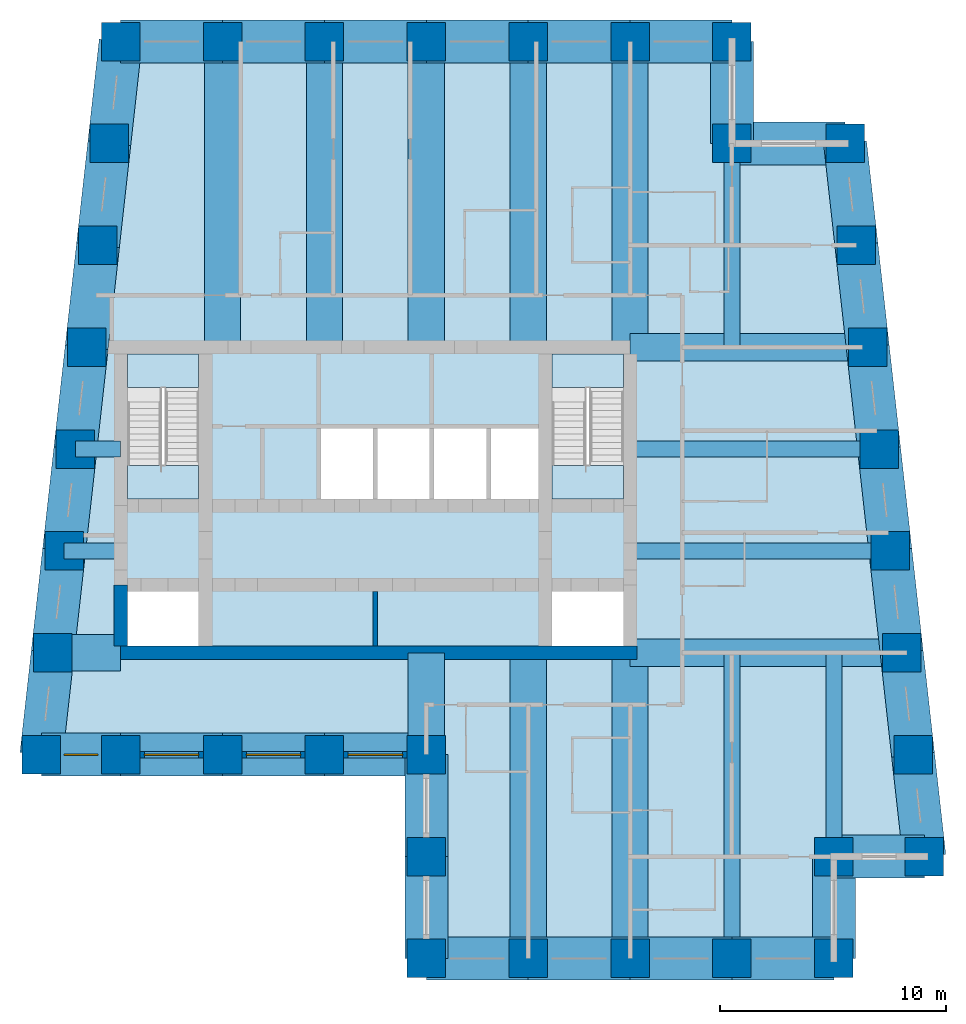
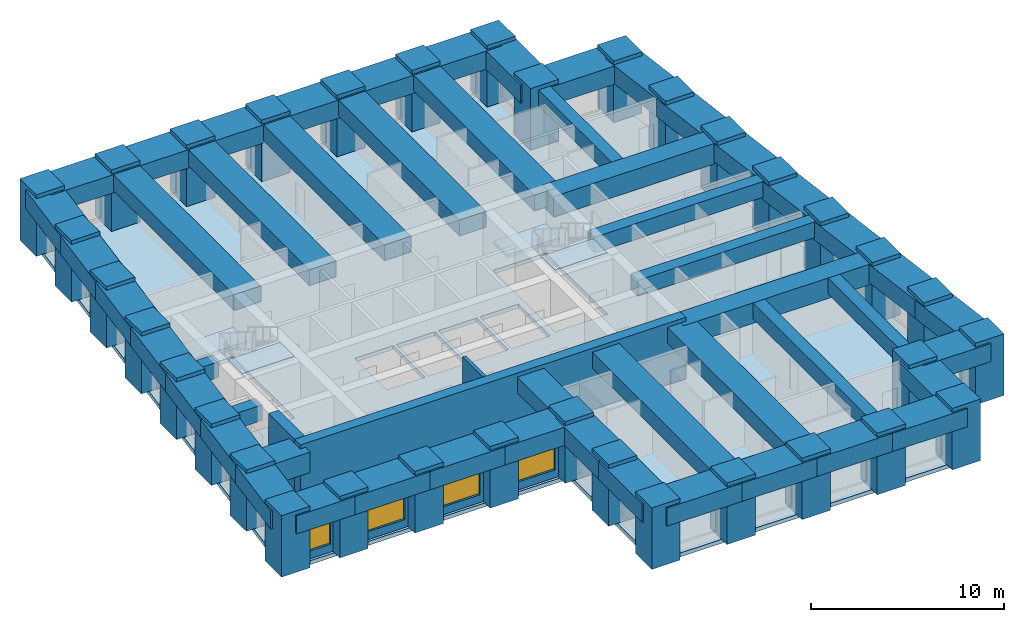
# One storey, part 1 of 7: 52 beams, 34 columns, 5 slabs, 4 walls, 4 windows, 4 openings, 2 elements without a shape of their own.
"""IFC4 building model written with IfcOpenShell, lengths in metres."""

from ifc_helpers import new_model, si_unit, direction, frame, frame_2d, origin, origin_2d, place, context, subcontext, project, spatial, polyline, rectangle, outline, extrude, material, layer, layer_set, material_profile, profile_set, type_object, element, fill, aggregate, save


model = new_model("IFC4")

# Units and contexts
model_context = context("Model", 3, precision=1e-05, world=origin(), true_north=direction((0.0, 1.0)))
body_context = subcontext(model_context, "Body", "Model", "MODEL_VIEW")
ifc_project = project(units=[si_unit("LENGTHUNIT", "METRE"), si_unit("AREAUNIT", "SQUARE_METRE"), si_unit("VOLUMEUNIT", "CUBIC_METRE"), si_unit("PLANEANGLEUNIT", "RADIAN"), si_unit("MASSUNIT", "GRAM", prefix="KILO")], contexts=[model_context])

# Site, building, storey
site_placement = place(None, origin())
site = spatial("IfcSite", under=ifc_project, at=site_placement, CompositionType="ELEMENT")
building_placement = place(site_placement, origin())
building = spatial("IfcBuilding", under=site, at=building_placement, Name="Kilele Tower Hotel", CompositionType="ELEMENT")
storey_placement = place(building_placement, frame((0.0, 0.0, 229.10009765625)))
storey = spatial("IfcBuildingStorey", under=building, at=storey_placement, Name="L59", CompositionType="ELEMENT", Elevation=229.10009765625)

# Columns
ifc_material_1 = material(Name="Concrete C60/75", Category="concrete")
ifc_material_profile_1 = material_profile(ifc_material_1, rectangle(XDim=1.699951171875, YDim=1.699951171875, at=origin_2d()))
ifc_profile_set_1 = profile_set([ifc_material_profile_1], Name="Concrete C60/75")
column_type = type_object("IfcColumnType", Name="Tube column RC 1700x1700 C60/75", PredefinedType="COLUMN", material=ifc_profile_set_1)
for number, where, z_axis, x_axis, name in (
    (1, (10.0, 9.0, 0.0), (0.0, 0.0, 1.0), (1.0, 0.0, 0.0), "Column TC4 L59"),
    (2, (13.5, 9.0, 0.0), (0.0, 0.0, 1.0), (1.0, 0.0, 0.0), "Column TC4 L59"),
    (3, (18.0, 9.0, 0.0), (0.0, 0.0, 1.0), (1.0, 0.0, 0.0), "Column TC4 L59"),
    (4, (22.5, 9.0, 0.0), (0.0, 0.0, 1.0), (1.0, 0.0, 0.0), "Column TC4 L59"),
    (5, (27.0, 9.0, 0.0), (0.0, 0.0, 1.0), (1.0, 0.0, 0.0), "Column TC4 L59"),
    (6, (27.0, 4.5, 0.0), (0.0, 0.0, 1.0), (1.0, 0.0, 0.0), "Column TC4 L59"),
    (7, (27.0, 0.0, 0.0), (0.0, 0.0, 1.0), (1.0, 0.0, 0.0), "Column TC4 L59"),
    (8, (31.5, 0.0, 0.0), (0.0, 0.0, 1.0), (1.0, 0.0, 0.0), "Column TC4 L59"),
    (9, (36.0, 0.0, 0.0), (0.0, 0.0, 1.0), (1.0, 0.0, 0.0), "Column TC4 L59"),
    (10, (40.5, 0.0, 0.0), (0.0, 0.0, 1.0), (1.0, 0.0, 0.0), "Column TC4 L59"),
    (11, (45.0, 0.0, 0.0), (0.0, 0.0, 1.0), (1.0, 0.0, 0.0), "Column TC4 L59"),
    (12, (45.0, 4.5, 0.0), (0.0, 0.0, 1.0), (1.0, 0.0, 0.0), "Column TC4 L59"),
    (13, (49.0, 4.5, 0.0), (0.0, 0.0, 1.0), (1.0, 0.0, 0.0), "Column TC4 L59"),
    (14, (48.5, 9.0, 0.0), (0.0, 0.0, 1.0), (1.0, 0.0, 0.0), "Column TC4 L59"),
    (15, (48.0, 13.5, 0.0), (0.0, 0.0, 1.0), (1.0, 0.0, 0.0), "Column TC4 L59"),
    (16, (47.5, 18.0, 0.0), (0.0, 0.0, 1.0), (1.0, 0.0, 0.0), "Column TC4 L59"),
    (17, (47.0, 22.5, 0.0), (0.0, 0.0, 1.0), (1.0, 0.0, 0.0), "Column TC4 L59"),
    (18, (46.5, 27.0, 0.0), (0.0, 0.0, 1.0), (1.0, 0.0, 0.0), "Column TC4 L59"),
    (19, (46.0, 31.5, 0.0), (0.0, 0.0, 1.0), (1.0, 0.0, 0.0), "Column TC4 L59"),
    (20, (45.5, 36.0, 0.0), (0.0, 0.0, 1.0), (1.0, 0.0, 0.0), "Column TC4 L59"),
    (21, (40.5, 36.0, 0.0), (0.0, 0.0, 1.0), (1.0, 0.0, 0.0), "Column TC4 L59"),
    (22, (40.5, 40.5, 0.0), (0.0, 0.0, 1.0), (1.0, 0.0, 0.0), "Column TC4 L59"),
    (23, (36.0, 40.5, 0.0), (0.0, 0.0, 1.0), (1.0, 0.0, 0.0), "Column TC4 L59"),
    (24, (31.5, 40.5, 0.0), (0.0, 0.0, 1.0), (1.0, 0.0, 0.0), "Column TC4 L59"),
    (25, (27.0, 40.5, 0.0), (0.0, 0.0, 1.0), (1.0, 0.0, 0.0), "Column TC4 L59"),
    (26, (22.5, 40.5, 0.0), (0.0, 0.0, 1.0), (1.0, 0.0, 0.0), "Column TC4 L59"),
    (27, (18.0, 40.5, 0.0), (0.0, 0.0, 1.0), (1.0, 0.0, 0.0), "Column TC4 L59"),
    (28, (13.5, 40.5, 0.0), (0.0, 0.0, 1.0), (1.0, 0.0, 0.0), "Column TC4 L59"),
    (29, (13.0, 36.0, 0.0), (0.0, 0.0, 1.0), (1.0, 0.0, 0.0), "Column TC4 L59"),
    (30, (12.5, 31.5, 0.0), (0.0, 0.0, 1.0), (1.0, 0.0, 0.0), "Column TC4 L59"),
    (31, (12.0, 27.0, 0.0), (0.0, 0.0, 1.0), (1.0, 0.0, 0.0), "Column TC4 L59"),
    (32, (11.5, 22.5, 0.0), (0.0, 0.0, 1.0), (1.0, 0.0, 0.0), "Column TC4 L59"),
    (33, (11.0, 18.0, 0.0), (0.0, 0.0, 1.0), (1.0, 0.0, 0.0), "Column TC4 L59"),
    (34, (10.5, 13.5, 0.0), (0.0, 0.0, 1.0), (1.0, 0.0, 0.0), "Column TC4 L59"),
):
    element("IfcColumn", number, at=place(storey_placement, frame(where, z_axis=z_axis, x_axis=x_axis)), inside=storey, type_object=column_type, Name=name, PredefinedType="COLUMN", context=body_context, shape_type="SweptSolid", body=[
        extrude(rectangle(XDim=1.699951171875, YDim=1.699951171875, at=origin_2d()), origin(), (0.0, 0.0, 1.0), 3.89990234375),
    ])

# Beams
ifc_material_2 = material(Name="Concrete C60/75", Category="concrete")
ifc_material_profile_2 = material_profile(ifc_material_2, rectangle(XDim=1.60009765625, YDim=1.0, at=origin_2d()))
ifc_profile_set_2 = profile_set([ifc_material_profile_2], Name="Concrete C60/75")
beam_type_1 = type_object("IfcBeamType", Name="Beam RC 1600x1000 C60/75", PredefinedType="BEAM", material=ifc_profile_set_2)
for number, where, z_axis, x_axis, name in (
    (35, (31.5, 0.0, 3.14990234375), (0.0, 1.0, 0.0), (-1.0, 0.0, 0.0), "Beam BC1 level L60"),
    (36, (36.0, 0.0, 3.14990234375), (0.0, 1.0, 0.0), (-1.0, 0.0, 0.0), "Beam BC1 level L60"),
    (37, (36.0, 40.5, 3.14990234375), (0.0, -1.0, 0.0), (1.0, 0.0, 0.0), "Beam BC1 level L60"),
    (38, (31.5, 40.5, 3.14990234375), (0.0, -1.0, 0.0), (1.0, 0.0, 0.0), "Beam BC1 level L60"),
    (39, (27.0, 40.5, 3.14990234375), (0.0, -1.0, 0.0), (1.0, 0.0, 0.0), "Beam BC1 level L60"),
    (40, (22.5, 40.5, 3.14990234375), (0.0, -1.0, 0.0), (1.0, 0.0, 0.0), "Beam BC1 level L60"),
    (41, (18.0, 40.5, 3.14990234375), (0.0, -1.0, 0.0), (1.0, 0.0, 0.0), "Beam BC1 level L60"),
):
    element("IfcBeam", number, at=place(storey_placement, frame(where, z_axis=z_axis, x_axis=x_axis)), inside=storey, type_object=beam_type_1, Name=name, PredefinedType="BEAM", context=body_context, shape_type="SweptSolid", body=[
        extrude(rectangle(XDim=1.60009765625, YDim=1.0, at=origin_2d()), origin(), (0.0, 0.0, 1.0), 13.5),
    ])
ifc_material_3 = material(Name="Concrete C60/75", Category="concrete")
ifc_material_profile_3 = material_profile(ifc_material_3, rectangle(XDim=1.60009765625, YDim=1.0, at=origin_2d()))
ifc_profile_set_3 = profile_set([ifc_material_profile_3], Name="Concrete C60/75")
beam_type_2 = type_object("IfcBeamType", Name="Beam RC 1600x1000 C60/75 short span", PredefinedType="BEAM", material=ifc_profile_set_3)
beam_1_placement = place(storey_placement, frame((27.0, 9.0, 3.14990234375), z_axis=(0.0, 1.0, 0.0), x_axis=(-1.0, 0.0, 0.0)))
element("IfcBeam", 42, at=beam_1_placement, inside=storey, type_object=beam_type_2, Name="Beam BC2 level L60", PredefinedType="BEAM", context=body_context, shape_type="SweptSolid", body=[
    extrude(rectangle(XDim=1.60009765625, YDim=1.0, at=origin_2d()), origin(), (0.0, 0.0, 1.0), 4.5),
])
ifc_material_4 = material(Name="Concrete C60/75", Category="concrete")
ifc_material_profile_4 = material_profile(ifc_material_4, rectangle(XDim=0.699951171875, YDim=1.0, at=origin_2d()))
ifc_profile_set_4 = profile_set([ifc_material_profile_4], Name="Concrete C60/75")
beam_type_3 = type_object("IfcBeamType", Name="Beam RC 700x1000 C60/75", PredefinedType="BEAM", material=ifc_profile_set_4)
beam_2_placement = place(storey_placement, frame((40.5, 0.0, 3.14990234375), z_axis=(0.0, 1.0, 0.0), x_axis=(-1.0, 0.0, 0.0)))
element("IfcBeam", 43, at=beam_2_placement, inside=storey, type_object=beam_type_3, Name="Beam B4 level L60", PredefinedType="BEAM", context=body_context, shape_type="SweptSolid", body=[
    extrude(rectangle(XDim=0.699951171875, YDim=1.0, at=origin_2d()), origin(), (0.0, 0.0, 1.0), 13.5),
])
ifc_material_5 = material(Name="Concrete C60/75", Category="concrete")
ifc_material_profile_5 = material_profile(ifc_material_5, rectangle(XDim=0.699951171875, YDim=1.0, at=origin_2d()))
ifc_profile_set_5 = profile_set([ifc_material_profile_5], Name="Concrete C60/75")
beam_type_4 = type_object("IfcBeamType", Name="Beam RC 700x1000 C60/75 mid span", PredefinedType="BEAM", material=ifc_profile_set_5)
beam_3_placement = place(storey_placement, frame((45.0, 4.5, 3.14990234375), z_axis=(0.0, 1.0, 0.0), x_axis=(-1.0, 0.0, 0.0)))
element("IfcBeam", 44, at=beam_3_placement, inside=storey, type_object=beam_type_4, Name="Beam B5 level L60", PredefinedType="BEAM", context=body_context, shape_type="SweptSolid", body=[
    extrude(rectangle(XDim=0.699951171875, YDim=1.0, at=origin_2d()), origin(), (0.0, 0.0, 1.0), 9.0),
])
beam_4_placement = place(storey_placement, frame((47.5, 18.0, 3.14990234375), z_axis=(-1.0, 0.0, 0.0), x_axis=(0.0, -1.0, 0.0)))
element("IfcBeam", 45, at=beam_4_placement, inside=storey, type_object=beam_type_4, Name="Beam B5 level L60", PredefinedType="BEAM", context=body_context, shape_type="SweptSolid", body=[
    extrude(rectangle(XDim=0.699951171875, YDim=1.0, at=origin_2d()), origin(), (0.0, 0.0, 1.0), 11.5),
])
beam_5_placement = place(storey_placement, frame((47.0, 22.5, 3.14990234375), z_axis=(-1.0, 0.0, 0.0), x_axis=(0.0, -1.0, 0.0)))
element("IfcBeam", 46, at=beam_5_placement, inside=storey, type_object=beam_type_4, Name="Beam B5 level L60", PredefinedType="BEAM", context=body_context, shape_type="SweptSolid", body=[
    extrude(rectangle(XDim=0.699951171875, YDim=1.0, at=origin_2d()), origin(), (0.0, 0.0, 1.0), 11.0),
])
beam_6_placement = place(storey_placement, frame((40.5, 36.0, 3.14990234375), z_axis=(0.0, -1.0, 0.0), x_axis=(1.0, 0.0, 0.0)))
element("IfcBeam", 47, at=beam_6_placement, inside=storey, type_object=beam_type_4, Name="Beam B5 level L60", PredefinedType="BEAM", context=body_context, shape_type="SweptSolid", body=[
    extrude(rectangle(XDim=0.699951171875, YDim=1.0, at=origin_2d()), origin(), (0.0, 0.0, 1.0), 9.0),
])
ifc_material_6 = material(Name="Concrete C60/75", Category="concrete")
ifc_material_profile_6 = material_profile(ifc_material_6, rectangle(XDim=0.699951171875, YDim=1.0, at=origin_2d()))
ifc_profile_set_6 = profile_set([ifc_material_profile_6], Name="Concrete C60/75")
beam_type_5 = type_object("IfcBeamType", Name="Beam RC 700x1000 C60/75 short span", PredefinedType="BEAM", material=ifc_profile_set_6)
beam_7_placement = place(storey_placement, frame((11.5, 22.5, 3.14990234375), z_axis=(1.0, 0.0, 0.0), x_axis=(0.0, 1.0, 0.0)))
element("IfcBeam", 48, at=beam_7_placement, inside=storey, type_object=beam_type_5, Name="Beam B6 level L60", PredefinedType="BEAM", context=body_context, shape_type="SweptSolid", body=[
    extrude(rectangle(XDim=0.699951171875, YDim=1.0, at=origin_2d()), origin(), (0.0, 0.0, 1.0), 2.0),
])
beam_8_placement = place(storey_placement, frame((11.0, 18.0, 3.14990234375), z_axis=(1.0, 0.0, 0.0), x_axis=(0.0, 1.0, 0.0)))
element("IfcBeam", 49, at=beam_8_placement, inside=storey, type_object=beam_type_5, Name="Beam B6 level L60", PredefinedType="BEAM", context=body_context, shape_type="SweptSolid", body=[
    extrude(rectangle(XDim=0.699951171875, YDim=1.0, at=origin_2d()), origin(), (0.0, 0.0, 1.0), 2.5),
])
ifc_material_7 = material(Name="Concrete C60/75", Category="concrete")
ifc_material_profile_7 = material_profile(ifc_material_7, rectangle(XDim=1.60009765625, YDim=1.300048828125, at=origin_2d()))
ifc_profile_set_7 = profile_set([ifc_material_profile_7], Name="Concrete C60/75")
beam_type_6 = type_object("IfcBeamType", Name="Coupling girder RC 1600x1300 C60/75", PredefinedType="BEAM", material=ifc_profile_set_7)
beam_9_placement = place(storey_placement, frame((10.5, 13.5, 3.0), z_axis=(1.0, 0.0, 0.0), x_axis=(0.0, 1.0, 0.0)))
element("IfcBeam", 50, at=beam_9_placement, inside=storey, type_object=beam_type_6, Name="Coupling girder G2 level L60", PredefinedType="BEAM", context=body_context, shape_type="SweptSolid", body=[
    extrude(rectangle(XDim=1.60009765625, YDim=1.300048828125, at=origin_2d()), origin(), (0.0, 0.0, 1.0), 3.0),
])
ifc_material_8 = material(Name="Concrete C60/75", Category="concrete")
ifc_material_profile_8 = material_profile(ifc_material_8, rectangle(XDim=1.199951171875, YDim=1.300048828125, at=origin_2d()))
ifc_profile_set_8 = profile_set([ifc_material_profile_8], Name="Concrete C60/75")
beam_type_7 = type_object("IfcBeamType", Name="Girder RC 1200x1300 C60/75", PredefinedType="BEAM", material=ifc_profile_set_8)
beam_10_placement = place(storey_placement, frame((48.0, 13.5, 3.0), z_axis=(-1.0, 0.0, 0.0), x_axis=(0.0, -1.0, 0.0)))
element("IfcBeam", 51, at=beam_10_placement, inside=storey, type_object=beam_type_7, Name="Girder G1 level L60", PredefinedType="BEAM", context=body_context, shape_type="SweptSolid", body=[
    extrude(rectangle(XDim=1.199951171875, YDim=1.300048828125, at=origin_2d()), origin(), (0.0, 0.0, 1.0), 12.0),
])
ifc_material_9 = material(Name="Concrete C60/75", Category="concrete")
ifc_material_profile_9 = material_profile(ifc_material_9, rectangle(XDim=1.199951171875, YDim=1.300048828125, at=origin_2d()))
ifc_profile_set_9 = profile_set([ifc_material_profile_9], Name="Concrete C60/75")
beam_type_8 = type_object("IfcBeamType", Name="Girder RC 1200x1300 C60/75 mid span", PredefinedType="BEAM", material=ifc_profile_set_9)
beam_11_placement = place(storey_placement, frame((46.5, 27.0, 3.0), z_axis=(-1.0, 0.0, 0.0), x_axis=(0.0, -1.0, 0.0)))
element("IfcBeam", 52, at=beam_11_placement, inside=storey, type_object=beam_type_8, Name="Girder G3 level L60", PredefinedType="BEAM", context=body_context, shape_type="SweptSolid", body=[
    extrude(rectangle(XDim=1.199951171875, YDim=1.300048828125, at=origin_2d()), origin(), (0.0, 0.0, 1.0), 10.5),
])
ifc_material_10 = material(Name="Concrete C60/75", Category="concrete")
ifc_material_profile_10 = material_profile(ifc_material_10, rectangle(XDim=1.89990234375, YDim=1.14990234375, at=origin_2d()))
ifc_profile_set_10 = profile_set([ifc_material_profile_10], Name="Concrete C60/75")
beam_type_9 = type_object("IfcBeamType", Name="Spandrel RC 1900x1150 C60/75", PredefinedType="SPANDREL", material=ifc_profile_set_10)
beam_12_placement = place(storey_placement, frame((10.0, 9.0, 3.074951171875), z_axis=(1.0, 0.0, 0.0), x_axis=(0.0, 1.0, 0.0)))
element("IfcBeam", 53, at=beam_12_placement, inside=storey, type_object=beam_type_9, Name="Spandrel SP8 level L60", PredefinedType="SPANDREL", context=body_context, shape_type="SweptSolid", body=[
    extrude(rectangle(XDim=1.89990234375, YDim=1.14990234375, at=origin_2d()), origin(), (0.0, 0.0, 1.0), 3.5),
])
for number, where, z_axis, x_axis, name in (
    (54, (13.5, 9.0, 3.074951171875), (1.0, 0.0, 0.0), (0.0, 1.0, 0.0), "Spandrel SP8 level L60"),
    (55, (18.0, 9.0, 3.074951171875), (1.0, 0.0, 0.0), (0.0, 1.0, 0.0), "Spandrel SP8 level L60"),
    (56, (22.5, 9.0, 3.074951171875), (1.0, 0.0, 0.0), (0.0, 1.0, 0.0), "Spandrel SP8 level L60"),
    (57, (27.0, 9.0, 3.074951171875), (0.0, -1.0, 0.0), (1.0, 0.0, 0.0), "Spandrel SP8 level L60"),
    (58, (27.0, 4.5, 3.074951171875), (0.0, -1.0, 0.0), (1.0, 0.0, 0.0), "Spandrel SP8 level L60"),
    (59, (27.0, 0.0, 3.074951171875), (1.0, 0.0, 0.0), (0.0, 1.0, 0.0), "Spandrel SP8 level L60"),
    (60, (31.5, 0.0, 3.074951171875), (1.0, 0.0, 0.0), (0.0, 1.0, 0.0), "Spandrel SP8 level L60"),
    (61, (36.0, 0.0, 3.074951171875), (1.0, 0.0, 0.0), (0.0, 1.0, 0.0), "Spandrel SP8 level L60"),
    (62, (40.5, 0.0, 3.074951171875), (1.0, 0.0, 0.0), (0.0, 1.0, 0.0), "Spandrel SP8 level L60"),
    (63, (45.0, 0.0, 3.074951171875), (0.0, 1.0, 0.0), (-1.0, 0.0, 0.0), "Spandrel SP8 level L60"),
):
    element("IfcBeam", number, at=place(storey_placement, frame(where, z_axis=z_axis, x_axis=x_axis)), inside=storey, type_object=beam_type_9, Name=name, PredefinedType="SPANDREL", context=body_context, shape_type="SweptSolid", body=[
        extrude(rectangle(XDim=1.89990234375, YDim=1.14990234375, at=origin_2d()), origin(), (0.0, 0.0, 1.0), 4.5),
    ])
beam_13_placement = place(storey_placement, frame((45.0, 4.5, 3.074951171875), z_axis=(1.0, 0.0, 0.0), x_axis=(0.0, 1.0, 0.0)))
element("IfcBeam", 64, at=beam_13_placement, inside=storey, type_object=beam_type_9, Name="Spandrel SP8 level L60", PredefinedType="SPANDREL", context=body_context, shape_type="SweptSolid", body=[
    extrude(rectangle(XDim=1.89990234375, YDim=1.14990234375, at=origin_2d()), origin(), (0.0, 0.0, 1.0), 4.0),
])
for number, where, z_axis, x_axis, name in (
    (65, (49.0, 4.5, 3.074951171875), (-0.110431526075, 0.993883734674, 0.0), (-0.993883734674, -0.110431526075, 0.0), "Spandrel SP8 level L60"),
    (66, (48.5, 9.0, 3.074951171875), (-0.110431526075, 0.993883734674, 0.0), (-0.993883734674, -0.110431526075, 0.0), "Spandrel SP8 level L60"),
    (67, (48.0, 13.5, 3.074951171875), (-0.110431526075, 0.993883734674, 0.0), (-0.993883734674, -0.110431526075, 0.0), "Spandrel SP8 level L60"),
    (68, (47.5, 18.0, 3.074951171875), (-0.110431526075, 0.993883734674, 0.0), (-0.993883734674, -0.110431526075, 0.0), "Spandrel SP8 level L60"),
    (69, (47.0, 22.5, 3.074951171875), (-0.110431526075, 0.993883734674, 0.0), (-0.993883734674, -0.110431526075, 0.0), "Spandrel SP8 level L60"),
    (70, (46.5, 27.0, 3.074951171875), (-0.110431526075, 0.993883734674, 0.0), (-0.993883734674, -0.110431526075, 0.0), "Spandrel SP8 level L60"),
    (71, (46.0, 31.5, 3.074951171875), (-0.110431526075, 0.993883734674, 0.0), (-0.993883734674, -0.110431526075, 0.0), "Spandrel SP8 level L60"),
):
    element("IfcBeam", number, at=place(storey_placement, frame(where, z_axis=z_axis, x_axis=x_axis)), inside=storey, type_object=beam_type_9, Name=name, PredefinedType="SPANDREL", context=body_context, shape_type="SweptSolid", body=[
        extrude(rectangle(XDim=1.89990234375, YDim=1.14990234375, at=origin_2d()), origin(), (0.0, 0.0, 1.0), 4.527587890625),
    ])
beam_14_placement = place(storey_placement, frame((45.5, 36.0, 3.074951171875), z_axis=(-1.0, 0.0, 0.0), x_axis=(0.0, -1.0, 0.0)))
element("IfcBeam", 72, at=beam_14_placement, inside=storey, type_object=beam_type_9, Name="Spandrel SP8 level L60", PredefinedType="SPANDREL", context=body_context, shape_type="SweptSolid", body=[
    extrude(rectangle(XDim=1.89990234375, YDim=1.14990234375, at=origin_2d()), origin(), (0.0, 0.0, 1.0), 5.0),
])
for number, where, z_axis, x_axis, name in (
    (73, (40.5, 36.0, 3.074951171875), (0.0, 1.0, 0.0), (-1.0, 0.0, 0.0), "Spandrel SP8 level L60"),
    (74, (40.5, 40.5, 3.074951171875), (-1.0, 0.0, 0.0), (0.0, -1.0, 0.0), "Spandrel SP8 level L60"),
    (75, (36.0, 40.5, 3.074951171875), (-1.0, 0.0, 0.0), (0.0, -1.0, 0.0), "Spandrel SP8 level L60"),
    (76, (31.5, 40.5, 3.074951171875), (-1.0, 0.0, 0.0), (0.0, -1.0, 0.0), "Spandrel SP8 level L60"),
    (77, (27.0, 40.5, 3.074951171875), (-1.0, 0.0, 0.0), (0.0, -1.0, 0.0), "Spandrel SP8 level L60"),
    (78, (22.5, 40.5, 3.074951171875), (-1.0, 0.0, 0.0), (0.0, -1.0, 0.0), "Spandrel SP8 level L60"),
    (79, (18.0, 40.5, 3.074951171875), (-1.0, 0.0, 0.0), (0.0, -1.0, 0.0), "Spandrel SP8 level L60"),
):
    element("IfcBeam", number, at=place(storey_placement, frame(where, z_axis=z_axis, x_axis=x_axis)), inside=storey, type_object=beam_type_9, Name=name, PredefinedType="SPANDREL", context=body_context, shape_type="SweptSolid", body=[
        extrude(rectangle(XDim=1.89990234375, YDim=1.14990234375, at=origin_2d()), origin(), (0.0, 0.0, 1.0), 4.5),
    ])
for number, where, z_axis, x_axis, name in (
    (80, (13.5, 40.5, 3.074951171875), (-0.110431526075, -0.993883734674, 0.0), (0.993883734674, -0.110431526075, 0.0), "Spandrel SP8 level L60"),
    (81, (13.0, 36.0, 3.074951171875), (-0.110431526075, -0.993883734674, 0.0), (0.993883734674, -0.110431526075, 0.0), "Spandrel SP8 level L60"),
    (82, (12.5, 31.5, 3.074951171875), (-0.110431526075, -0.993883734674, 0.0), (0.993883734674, -0.110431526075, 0.0), "Spandrel SP8 level L60"),
    (83, (12.0, 27.0, 3.074951171875), (-0.110431526075, -0.993883734674, 0.0), (0.993883734674, -0.110431526075, 0.0), "Spandrel SP8 level L60"),
    (84, (11.5, 22.5, 3.074951171875), (-0.110431526075, -0.993883734674, 0.0), (0.993883734674, -0.110431526075, 0.0), "Spandrel SP8 level L60"),
    (85, (11.0, 18.0, 3.074951171875), (-0.110431526075, -0.993883734674, 0.0), (0.993883734674, -0.110431526075, 0.0), "Spandrel SP8 level L60"),
    (86, (10.5, 13.5, 3.074951171875), (-0.110431526075, -0.993883734674, 0.0), (0.993883734674, -0.110431526075, 0.0), "Spandrel SP8 level L60"),
):
    element("IfcBeam", number, at=place(storey_placement, frame(where, z_axis=z_axis, x_axis=x_axis)), inside=storey, type_object=beam_type_9, Name=name, PredefinedType="SPANDREL", context=body_context, shape_type="SweptSolid", body=[
        extrude(rectangle(XDim=1.89990234375, YDim=1.14990234375, at=origin_2d()), origin(), (0.0, 0.0, 1.0), 4.527587890625),
    ])

# Slab
ifc_material_11 = material(Name="Concrete C60/75", Category="concrete")
ifc_layer_1 = layer(ifc_material_11, 0.25)
ifc_layer_set_1 = layer_set([ifc_layer_1], Name="Concrete C60/75")
slab_type_1 = type_object("IfcSlabType", Name="Floor slab 250", PredefinedType="FLOOR", material=ifc_layer_set_1)
slab_1_placement = place(storey_placement, frame((0.0, 0.0, -0.25)))
element("IfcSlab", 87, at=slab_1_placement, inside=storey, type_object=slab_type_1, Name="Floor slab L59", PredefinedType="FLOOR", context=body_context, shape_type="SweptSolid", body=[
    extrude(outline(polyline([(40.800048828125, 40.800048828125), (40.800048828125, 36.300048828125), (45.7685546875, 36.300048828125), (49.335205078125, 4.199951171875), (45.300048828125, 4.199951171875), (45.300048828125, -0.300048828125), (26.699951171875, -0.300048828125), (26.699951171875, 8.699951171875), (9.664794921875, 8.699951171875), (13.2314453125, 40.800048828125), (40.800048828125, 40.800048828125)]), holes=[polyline([(16.949951171875, 16.199951171875), (13.800048828125, 16.199951171875), (13.800048828125, 13.800048828125), (16.949951171875, 13.800048828125), (16.949951171875, 16.199951171875)]), polyline([(35.699951171875, 16.199951171875), (32.550048828125, 16.199951171875), (32.550048828125, 13.800048828125), (35.699951171875, 13.800048828125), (35.699951171875, 16.199951171875)]), polyline([(24.64990234375, 23.39990234375), (22.35009765625, 23.39990234375), (22.35009765625, 20.10009765625), (24.64990234375, 20.10009765625), (24.64990234375, 23.39990234375)]), polyline([(27.14990234375, 23.39990234375), (24.85009765625, 23.39990234375), (24.85009765625, 20.10009765625), (27.14990234375, 20.10009765625), (27.14990234375, 23.39990234375)]), polyline([(29.64990234375, 23.39990234375), (27.35009765625, 23.39990234375), (27.35009765625, 20.10009765625), (29.64990234375, 20.10009765625), (29.64990234375, 23.39990234375)]), polyline([(32.14990234375, 23.39990234375), (29.85009765625, 23.39990234375), (29.85009765625, 20.10009765625), (32.14990234375, 20.10009765625), (32.14990234375, 23.39990234375)]), polyline([(16.949951171875, 26.699951171875), (13.800048828125, 26.699951171875), (13.800048828125, 20.300048828125), (16.949951171875, 20.300048828125), (16.949951171875, 26.699951171875)]), polyline([(35.699951171875, 26.699951171875), (32.550048828125, 26.699951171875), (32.550048828125, 20.300048828125), (35.699951171875, 20.300048828125), (35.699951171875, 26.699951171875)])]), origin(), (0.0, 0.0, 1.0), 0.25),
])

# Stair, slabs
ifc_material_12 = material(Name="Precast concrete C40/50", Category="concrete")
stair_type = type_object("IfcStairType", Name="Stair 1475 x 3900", PredefinedType="HALF_TURN_STAIR", material=ifc_material_12)
stair_1_placement = place(storey_placement, origin())
stair_1 = element("IfcStair", 88, at=stair_1_placement, inside=storey, type_object=stair_type, Name="Stair 1 L59", PredefinedType="HALF_TURN_STAIR")
ifc_material_13 = material(Name="Precast concrete C40/50", Category="concrete")
ifc_layer_2 = layer(ifc_material_13, 0.199951171875)
ifc_layer_set_2 = layer_set([ifc_layer_2], Name="Precast concrete C40/50")
slab_type_2 = type_object("IfcSlabType", Name="Stair landing 200", PredefinedType="LANDING", material=ifc_layer_set_2)
slab_2_placement = place(storey_placement, frame((0.0, 0.0, 1.6650390625)))
slab_2 = element("IfcSlab", 89, at=slab_2_placement, type_object=slab_type_2, Name="ST1 landing 1", PredefinedType="LANDING", context=body_context, shape_type="SweptSolid", body=[
    extrude(outline(polyline([(13.800048828125, 25.22509765625), (16.949951171875, 25.22509765625), (16.949951171875, 26.699951171875), (13.800048828125, 26.699951171875), (13.800048828125, 25.22509765625)])), origin(), (0.0, 0.0, 1.0), 0.199951171875),
])
slab_3_placement = place(storey_placement, frame((0.0, 0.0, 3.699951171875)))
slab_3 = element("IfcSlab", 90, at=slab_3_placement, type_object=slab_type_2, Name="ST1 landing 2", PredefinedType="LANDING", context=body_context, shape_type="SweptSolid", body=[
    extrude(outline(polyline([(13.800048828125, 20.300048828125), (16.949951171875, 20.300048828125), (16.949951171875, 21.77490234375), (13.800048828125, 21.77490234375), (13.800048828125, 20.300048828125)])), origin(), (0.0, 0.0, 1.0), 0.199951171875),
])
aggregate(stair_1, [slab_2, slab_3])

stair_2_placement = place(storey_placement, origin())
stair_2 = element("IfcStair", 91, at=stair_2_placement, inside=storey, type_object=stair_type, Name="Stair 2 L59", PredefinedType="HALF_TURN_STAIR")
slab_4_placement = place(storey_placement, frame((0.0, 0.0, 1.6650390625)))
slab_4 = element("IfcSlab", 92, at=slab_4_placement, type_object=slab_type_2, Name="ST2 landing 1", PredefinedType="LANDING", context=body_context, shape_type="SweptSolid", body=[
    extrude(outline(polyline([(32.550048828125, 25.22509765625), (35.699951171875, 25.22509765625), (35.699951171875, 26.699951171875), (32.550048828125, 26.699951171875), (32.550048828125, 25.22509765625)])), origin(), (0.0, 0.0, 1.0), 0.199951171875),
])
slab_5_placement = place(storey_placement, frame((0.0, 0.0, 3.699951171875)))
slab_5 = element("IfcSlab", 93, at=slab_5_placement, type_object=slab_type_2, Name="ST2 landing 2", PredefinedType="LANDING", context=body_context, shape_type="SweptSolid", body=[
    extrude(outline(polyline([(32.550048828125, 20.300048828125), (35.699951171875, 20.300048828125), (35.699951171875, 21.77490234375), (32.550048828125, 21.77490234375), (32.550048828125, 20.300048828125)])), origin(), (0.0, 0.0, 1.0), 0.199951171875),
])
aggregate(stair_2, [slab_4, slab_5])

# Walls
ifc_material_14 = material(Name="Concrete C60/75", Category="concrete")
ifc_layer_3 = layer(ifc_material_14, 0.60009765625)
ifc_layer_set_3 = layer_set([ifc_layer_3], Name="Concrete C60/75")
wall_type_1 = type_object("IfcWallType", Name="Core wall 600 C60/75", PredefinedType="SHEAR", material=ifc_layer_set_3)
wall_1_placement = place(storey_placement, frame((13.199951171875, 13.5, 0.0), z_axis=(0.0, 0.0, 1.0), x_axis=(1.0, 0.0, 0.0)))
element("IfcWall", 94, at=wall_1_placement, inside=storey, type_object=wall_type_1, Name="Core wall S L59", PredefinedType="SHEAR", context=body_context, shape_type="SweptSolid", body=[
    extrude(rectangle(XDim=23.10009765625, YDim=0.60009765625, at=frame_2d((11.550048828125, 0.0))), origin(), (0.0, 0.0, 1.0), 3.89990234375),
])
wall_2_placement = place(storey_placement, frame((13.5, 16.5, 0.0), z_axis=(0.0, 0.0, 1.0), x_axis=(0.0, -1.0, 0.0)))
element("IfcWall", 95, at=wall_2_placement, inside=storey, type_object=wall_type_1, Name="Core wall W3 L59", PredefinedType="SHEAR", context=body_context, shape_type="SweptSolid", body=[
    extrude(rectangle(XDim=2.699951171875, YDim=0.60009765625, at=frame_2d((1.35009765625, 0.0))), origin(), (0.0, 0.0, 1.0), 3.89990234375),
])

# Wall, openings, windows
ifc_material_15 = material(Name="Concrete C40/50 precast", Category="concrete")
ifc_layer_4 = layer(ifc_material_15, 0.260009765625, Name="Precast backing", Category="LoadBearing")
ifc_material_16 = material(Name="Reconstituted stone finish", Category="masonry")
ifc_layer_5 = layer(ifc_material_16, 0.0400390625, Name="Face mix", Category="Finish")
ifc_layer_set_4 = layer_set([ifc_layer_4, ifc_layer_5], Name="Precast concrete C40/50, reconstituted stone finish")
wall_type_2 = type_object("IfcWallType", Name="Precast stone facade wall 300", PredefinedType="STANDARD", material=ifc_layer_set_4)
wall_3_placement = place(storey_placement, frame((9.85009765625, 9.0, 0.0), z_axis=(0.0, 0.0, 1.0), x_axis=(1.0, 0.0, 0.0)))
wall_3 = element("IfcWall", 96, at=wall_3_placement, inside=storey, type_object=wall_type_2, Name="Facade wall L59 edge 1", PredefinedType="STANDARD", context=body_context, shape_type="SweptSolid", body=[
    extrude(rectangle(XDim=17.2998046875, YDim=0.300048828125, at=frame_2d((8.64990234375, 0.0))), origin(), (0.0, 0.0, 1.0), 2.5),
])
opening_1_placement = place(wall_3_placement, frame((1.14990234375, 0.0, 0.5)))
opening_1 = element("IfcOpeningElement", 97, at=opening_1_placement, cuts=wall_3, Name="Opening W4", PredefinedType="OPENING", context=body_context, shape_type="SweptSolid", body=[
    extrude(rectangle(XDim=1.5, YDim=1.85009765625, at=frame_2d((0.75, 0.925048828125))), frame((0.0, 0.159912109375, 0.0), z_axis=(0.0, -1.0, 0.0), x_axis=(1.0, 0.0, 0.0)), (0.0, 0.0, 1.0), 0.320068359375),
])
opening_2_placement = place(wall_3_placement, frame((4.699951171875, 0.0, 0.5)))
opening_2 = element("IfcOpeningElement", 98, at=opening_2_placement, cuts=wall_3, Name="Opening W4", PredefinedType="OPENING", context=body_context, shape_type="SweptSolid", body=[
    extrude(rectangle(XDim=2.39990234375, YDim=1.85009765625, at=frame_2d((1.199951171875, 0.925048828125))), frame((0.0, 0.159912109375, 0.0), z_axis=(0.0, -1.0, 0.0), x_axis=(1.0, 0.0, 0.0)), (0.0, 0.0, 1.0), 0.320068359375),
])
opening_3_placement = place(wall_3_placement, frame((9.199951171875, 0.0, 0.5)))
opening_3 = element("IfcOpeningElement", 99, at=opening_3_placement, cuts=wall_3, Name="Opening W4", PredefinedType="OPENING", context=body_context, shape_type="SweptSolid", body=[
    extrude(rectangle(XDim=2.39990234375, YDim=1.85009765625, at=frame_2d((1.199951171875, 0.925048828125))), frame((0.0, 0.159912109375, 0.0), z_axis=(0.0, -1.0, 0.0), x_axis=(1.0, 0.0, 0.0)), (0.0, 0.0, 1.0), 0.320068359375),
])
opening_4_placement = place(wall_3_placement, frame((13.699951171875, 0.0, 0.5)))
opening_4 = element("IfcOpeningElement", 100, at=opening_4_placement, cuts=wall_3, Name="Opening W4", PredefinedType="OPENING", context=body_context, shape_type="SweptSolid", body=[
    extrude(rectangle(XDim=2.39990234375, YDim=1.85009765625, at=frame_2d((1.199951171875, 0.925048828125))), frame((0.0, 0.159912109375, 0.0), z_axis=(0.0, -1.0, 0.0), x_axis=(1.0, 0.0, 0.0)), (0.0, 0.0, 1.0), 0.320068359375),
])
ifc_material_17 = material(Name="Aluminium frame, clear double glazing", Category="aluminium")
window_type_1 = type_object("IfcWindowType", Name="Window W4 1500 x 1850", PartitioningType="SINGLE_PANEL", PredefinedType="WINDOW", material=ifc_material_17)
window_1_placement = place(opening_1_placement, origin())
window_1 = element("IfcWindow", 101, at=window_1_placement, inside=storey, type_object=window_type_1, Name="Window L59", OverallHeight=1.85009765625, OverallWidth=1.5, PartitioningType="SINGLE_PANEL", PredefinedType="WINDOW", context=body_context, shape_type="SweptSolid", body=[
    extrude(rectangle(XDim=1.5, YDim=1.85009765625, at=frame_2d((0.75, 0.925048828125))), frame((0.0, 0.030029296875, 0.0), z_axis=(0.0, -1.0, 0.0), x_axis=(1.0, 0.0, 0.0)), (0.0, 0.0, 1.0), 0.06005859375),
])
fill(opening_1, window_1)
ifc_material_18 = material(Name="Aluminium frame, clear double glazing", Category="aluminium")
window_type_2 = type_object("IfcWindowType", Name="Window W4 2400 x 1850", PartitioningType="SINGLE_PANEL", PredefinedType="WINDOW", material=ifc_material_18)
window_2_placement = place(opening_2_placement, origin())
window_2 = element("IfcWindow", 102, at=window_2_placement, inside=storey, type_object=window_type_2, Name="Window L59", OverallHeight=1.85009765625, OverallWidth=2.39990234375, PartitioningType="SINGLE_PANEL", PredefinedType="WINDOW", context=body_context, shape_type="SweptSolid", body=[
    extrude(rectangle(XDim=2.39990234375, YDim=1.85009765625, at=frame_2d((1.199951171875, 0.925048828125))), frame((0.0, 0.030029296875, 0.0), z_axis=(0.0, -1.0, 0.0), x_axis=(1.0, 0.0, 0.0)), (0.0, 0.0, 1.0), 0.06005859375),
])
fill(opening_2, window_2)
window_3_placement = place(opening_3_placement, origin())
window_3 = element("IfcWindow", 103, at=window_3_placement, inside=storey, type_object=window_type_2, Name="Window L59", OverallHeight=1.85009765625, OverallWidth=2.39990234375, PartitioningType="SINGLE_PANEL", PredefinedType="WINDOW", context=body_context, shape_type="SweptSolid", body=[
    extrude(rectangle(XDim=2.39990234375, YDim=1.85009765625, at=frame_2d((1.199951171875, 0.925048828125))), frame((0.0, 0.030029296875, 0.0), z_axis=(0.0, -1.0, 0.0), x_axis=(1.0, 0.0, 0.0)), (0.0, 0.0, 1.0), 0.06005859375),
])
fill(opening_3, window_3)
window_4_placement = place(opening_4_placement, origin())
window_4 = element("IfcWindow", 104, at=window_4_placement, inside=storey, type_object=window_type_2, Name="Window L59", OverallHeight=1.85009765625, OverallWidth=2.39990234375, PartitioningType="SINGLE_PANEL", PredefinedType="WINDOW", context=body_context, shape_type="SweptSolid", body=[
    extrude(rectangle(XDim=2.39990234375, YDim=1.85009765625, at=frame_2d((1.199951171875, 0.925048828125))), frame((0.0, 0.030029296875, 0.0), z_axis=(0.0, -1.0, 0.0), x_axis=(1.0, 0.0, 0.0)), (0.0, 0.0, 1.0), 0.06005859375),
])
fill(opening_4, window_4)

# Wall
ifc_material_19 = material(Name="Blockwork, fire-rated", Category="masonry")
ifc_layer_6 = layer(ifc_material_19, 0.199951171875)
ifc_layer_set_5 = layer_set([ifc_layer_6], Name="Blockwork, fire-rated")
wall_type_3 = type_object("IfcWallType", Name="Shaft wall 200", PredefinedType="PARTITIONING", material=ifc_layer_set_5)
wall_4_placement = place(storey_placement, frame((24.75, 13.800048828125, 0.0), z_axis=(0.0, 0.0, 1.0), x_axis=(0.0, 1.0, 0.0)))
element("IfcWall", 105, at=wall_4_placement, inside=storey, type_object=wall_type_3, Name="Shaft wall 200 L59", PredefinedType="PARTITIONING", context=body_context, shape_type="SweptSolid", body=[
    extrude(rectangle(XDim=2.39990234375, YDim=0.199951171875, at=frame_2d((1.199951171875, 0.0))), origin(), (0.0, 0.0, 1.0), 3.64990234375),
])

save(model, "model.ifc")
